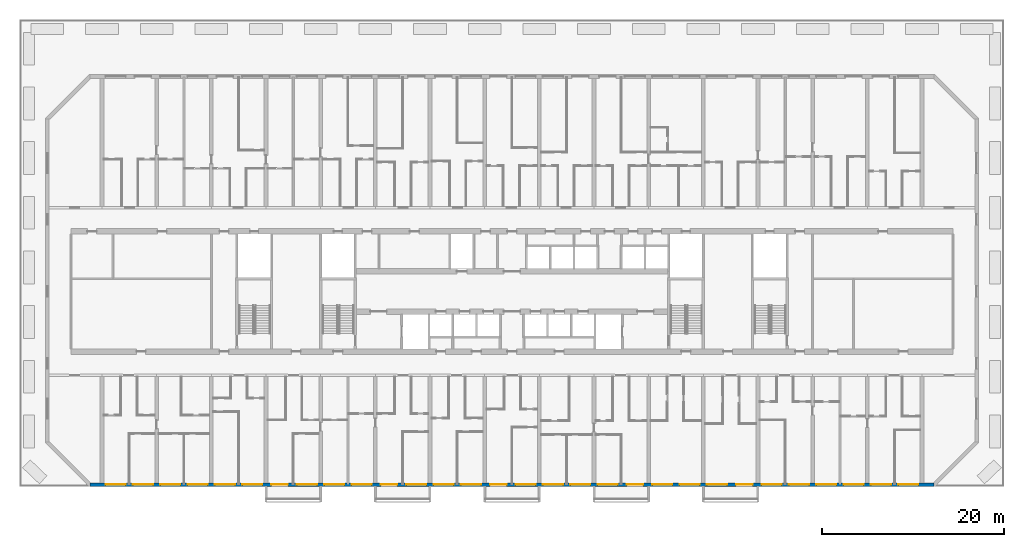
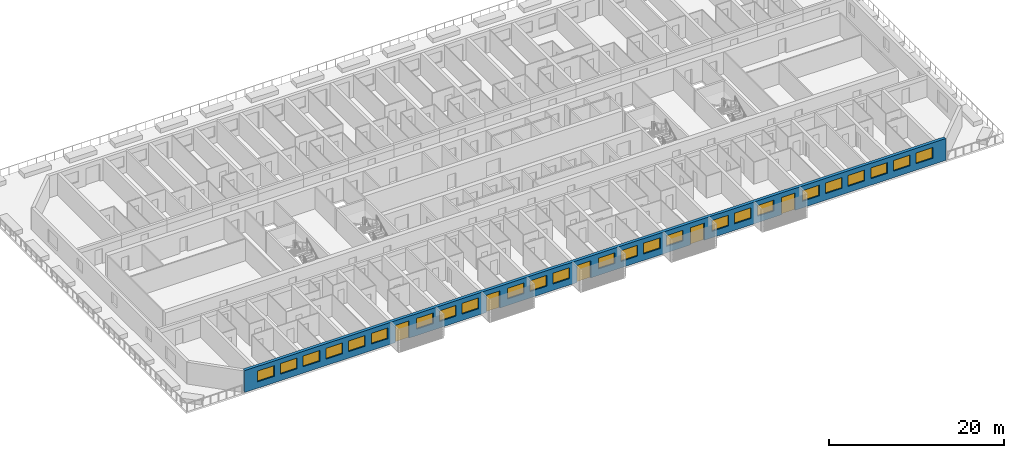
# One storey, part 5 of 23: 25 windows, 5 doors, 1 wall, 30 openings.
"""IFC4 building model written with IfcOpenShell, lengths in metres."""

from ifc_helpers import new_model, si_unit, direction, frame, frame_2d, origin, place, context, subcontext, project, spatial, rectangle, extrude, material, layer, layer_set, type_object, element, fill, save


model = new_model("IFC4")

# Units and contexts
model_context = context("Model", 3, precision=1e-05, world=origin(), true_north=direction((0.0, 1.0)))
body_context = subcontext(model_context, "Body", "Model", "MODEL_VIEW")
ifc_project = project(units=[si_unit("LENGTHUNIT", "METRE"), si_unit("AREAUNIT", "SQUARE_METRE"), si_unit("VOLUMEUNIT", "CUBIC_METRE"), si_unit("PLANEANGLEUNIT", "RADIAN"), si_unit("MASSUNIT", "GRAM", prefix="KILO")], contexts=[model_context])

# Site, building, storey
site_placement = place(None, origin())
site = spatial("IfcSite", under=ifc_project, at=site_placement, CompositionType="ELEMENT")
building_placement = place(site_placement, origin())
building = spatial("IfcBuilding", under=site, at=building_placement, Name="Poui Terraces", CompositionType="ELEMENT")
storey_placement = place(building_placement, frame((0.0, 0.0, 23.39990234375)))
storey = spatial("IfcBuildingStorey", under=building, at=storey_placement, Name="L05", CompositionType="ELEMENT", Elevation=23.39990234375)

# Wall, openings, doors, windows
ifc_material_1 = material(Name="Precast concrete 40 MPa", Category="concrete")
ifc_layer = layer(ifc_material_1, 0.39990234375)
ifc_layer_set = layer_set([ifc_layer], Name="Precast concrete 40 MPa")
wall_type = type_object("IfcWallType", Name="EXTERNAL WALL 400", PredefinedType="STANDARD", material=ifc_layer_set)
wall_placement = place(storey_placement, frame((4.682861328125, 0.0, 0.0), z_axis=(0.0, 0.0, 1.0), x_axis=(1.0, 0.0, 0.0)))
wall = element("IfcWall", 1, at=wall_placement, inside=storey, type_object=wall_type, Name="EXTERNAL WALL S", PredefinedType="STANDARD", context=body_context, shape_type="SweptSolid", body=[
    extrude(rectangle(XDim=92.63427734375, YDim=0.39990234375, at=frame_2d((46.317138671875, 0.0))), origin(), (0.0, 0.0, 1.0), 3.050048828125),
])
opening_1_placement = place(wall_placement, frame((1.71728515625, 0.0, 0.89990234375)))
opening_1 = element("IfcOpeningElement", 2, at=opening_1_placement, cuts=wall, Name="Opening W1", PredefinedType="OPENING", context=body_context, shape_type="SweptSolid", body=[
    extrude(rectangle(XDim=2.199951171875, YDim=1.5, at=frame_2d((1.10009765625, 0.75))), frame((0.0, 0.2099609375, 0.0), z_axis=(0.0, -1.0, 0.0), x_axis=(1.0, 0.0, 0.0)), (0.0, 0.0, 1.0), 0.419921875),
])
opening_2_placement = place(wall_placement, frame((4.71728515625, 0.0, 0.89990234375)))
opening_2 = element("IfcOpeningElement", 3, at=opening_2_placement, cuts=wall, Name="Opening W1", PredefinedType="OPENING", context=body_context, shape_type="SweptSolid", body=[
    extrude(rectangle(XDim=2.199951171875, YDim=1.5, at=frame_2d((1.10009765625, 0.75))), frame((0.0, 0.2099609375, 0.0), z_axis=(0.0, -1.0, 0.0), x_axis=(1.0, 0.0, 0.0)), (0.0, 0.0, 1.0), 0.419921875),
])
opening_3_placement = place(wall_placement, frame((7.71728515625, 0.0, 0.89990234375)))
opening_3 = element("IfcOpeningElement", 4, at=opening_3_placement, cuts=wall, Name="Opening W1", PredefinedType="OPENING", context=body_context, shape_type="SweptSolid", body=[
    extrude(rectangle(XDim=2.199951171875, YDim=1.5, at=frame_2d((1.10009765625, 0.75))), frame((0.0, 0.2099609375, 0.0), z_axis=(0.0, -1.0, 0.0), x_axis=(1.0, 0.0, 0.0)), (0.0, 0.0, 1.0), 0.419921875),
])
opening_4_placement = place(wall_placement, frame((10.71728515625, 0.0, 0.89990234375)))
opening_4 = element("IfcOpeningElement", 5, at=opening_4_placement, cuts=wall, Name="Opening W1", PredefinedType="OPENING", context=body_context, shape_type="SweptSolid", body=[
    extrude(rectangle(XDim=2.199951171875, YDim=1.5, at=frame_2d((1.10009765625, 0.75))), frame((0.0, 0.2099609375, 0.0), z_axis=(0.0, -1.0, 0.0), x_axis=(1.0, 0.0, 0.0)), (0.0, 0.0, 1.0), 0.419921875),
])
opening_5_placement = place(wall_placement, frame((13.71728515625, 0.0, 0.89990234375)))
opening_5 = element("IfcOpeningElement", 6, at=opening_5_placement, cuts=wall, Name="Opening W1", PredefinedType="OPENING", context=body_context, shape_type="SweptSolid", body=[
    extrude(rectangle(XDim=2.199951171875, YDim=1.5, at=frame_2d((1.10009765625, 0.75))), frame((0.0, 0.2099609375, 0.0), z_axis=(0.0, -1.0, 0.0), x_axis=(1.0, 0.0, 0.0)), (0.0, 0.0, 1.0), 0.419921875),
])
opening_6_placement = place(wall_placement, frame((16.71728515625, 0.0, 0.89990234375)))
opening_6 = element("IfcOpeningElement", 7, at=opening_6_placement, cuts=wall, Name="Opening W1", PredefinedType="OPENING", context=body_context, shape_type="SweptSolid", body=[
    extrude(rectangle(XDim=2.199951171875, YDim=1.5, at=frame_2d((1.10009765625, 0.75))), frame((0.0, 0.2099609375, 0.0), z_axis=(0.0, -1.0, 0.0), x_axis=(1.0, 0.0, 0.0)), (0.0, 0.0, 1.0), 0.419921875),
])
opening_7_placement = place(wall_placement, frame((19.917236328125, 0.0, 0.0)))
opening_7 = element("IfcOpeningElement", 8, at=opening_7_placement, cuts=wall, Name="Opening BD1", PredefinedType="OPENING", context=body_context, shape_type="SweptSolid", body=[
    extrude(rectangle(XDim=1.800048828125, YDim=2.39990234375, at=frame_2d((0.89990234375, 1.199951171875))), frame((0.0, 0.2099609375, 0.0), z_axis=(0.0, -1.0, 0.0), x_axis=(1.0, 0.0, 0.0)), (0.0, 0.0, 1.0), 0.419921875),
])
opening_8_placement = place(wall_placement, frame((22.71728515625, 0.0, 0.89990234375)))
opening_8 = element("IfcOpeningElement", 9, at=opening_8_placement, cuts=wall, Name="Opening W1", PredefinedType="OPENING", context=body_context, shape_type="SweptSolid", body=[
    extrude(rectangle(XDim=2.199951171875, YDim=1.5, at=frame_2d((1.10009765625, 0.75))), frame((0.0, 0.2099609375, 0.0), z_axis=(0.0, -1.0, 0.0), x_axis=(1.0, 0.0, 0.0)), (0.0, 0.0, 1.0), 0.419921875),
])
opening_9_placement = place(wall_placement, frame((25.71728515625, 0.0, 0.89990234375)))
opening_9 = element("IfcOpeningElement", 10, at=opening_9_placement, cuts=wall, Name="Opening W1", PredefinedType="OPENING", context=body_context, shape_type="SweptSolid", body=[
    extrude(rectangle(XDim=2.199951171875, YDim=1.5, at=frame_2d((1.10009765625, 0.75))), frame((0.0, 0.2099609375, 0.0), z_axis=(0.0, -1.0, 0.0), x_axis=(1.0, 0.0, 0.0)), (0.0, 0.0, 1.0), 0.419921875),
])
opening_10_placement = place(wall_placement, frame((28.71728515625, 0.0, 0.89990234375)))
opening_10 = element("IfcOpeningElement", 11, at=opening_10_placement, cuts=wall, Name="Opening W1", PredefinedType="OPENING", context=body_context, shape_type="SweptSolid", body=[
    extrude(rectangle(XDim=2.199951171875, YDim=1.5, at=frame_2d((1.10009765625, 0.75))), frame((0.0, 0.2099609375, 0.0), z_axis=(0.0, -1.0, 0.0), x_axis=(1.0, 0.0, 0.0)), (0.0, 0.0, 1.0), 0.419921875),
])
opening_11_placement = place(wall_placement, frame((31.917236328125, 0.0, 0.0)))
opening_11 = element("IfcOpeningElement", 12, at=opening_11_placement, cuts=wall, Name="Opening BD1", PredefinedType="OPENING", context=body_context, shape_type="SweptSolid", body=[
    extrude(rectangle(XDim=1.800048828125, YDim=2.39990234375, at=frame_2d((0.89990234375, 1.199951171875))), frame((0.0, 0.2099609375, 0.0), z_axis=(0.0, -1.0, 0.0), x_axis=(1.0, 0.0, 0.0)), (0.0, 0.0, 1.0), 0.419921875),
])
opening_12_placement = place(wall_placement, frame((34.71728515625, 0.0, 0.89990234375)))
opening_12 = element("IfcOpeningElement", 13, at=opening_12_placement, cuts=wall, Name="Opening W1", PredefinedType="OPENING", context=body_context, shape_type="SweptSolid", body=[
    extrude(rectangle(XDim=2.199951171875, YDim=1.5, at=frame_2d((1.10009765625, 0.75))), frame((0.0, 0.2099609375, 0.0), z_axis=(0.0, -1.0, 0.0), x_axis=(1.0, 0.0, 0.0)), (0.0, 0.0, 1.0), 0.419921875),
])
opening_13_placement = place(wall_placement, frame((37.71728515625, 0.0, 0.89990234375)))
opening_13 = element("IfcOpeningElement", 14, at=opening_13_placement, cuts=wall, Name="Opening W1", PredefinedType="OPENING", context=body_context, shape_type="SweptSolid", body=[
    extrude(rectangle(XDim=2.199951171875, YDim=1.5, at=frame_2d((1.10009765625, 0.75))), frame((0.0, 0.2099609375, 0.0), z_axis=(0.0, -1.0, 0.0), x_axis=(1.0, 0.0, 0.0)), (0.0, 0.0, 1.0), 0.419921875),
])
opening_14_placement = place(wall_placement, frame((40.71728515625, 0.0, 0.89990234375)))
opening_14 = element("IfcOpeningElement", 15, at=opening_14_placement, cuts=wall, Name="Opening W1", PredefinedType="OPENING", context=body_context, shape_type="SweptSolid", body=[
    extrude(rectangle(XDim=2.199951171875, YDim=1.5, at=frame_2d((1.10009765625, 0.75))), frame((0.0, 0.2099609375, 0.0), z_axis=(0.0, -1.0, 0.0), x_axis=(1.0, 0.0, 0.0)), (0.0, 0.0, 1.0), 0.419921875),
])
opening_15_placement = place(wall_placement, frame((43.917236328125, 0.0, 0.0)))
opening_15 = element("IfcOpeningElement", 16, at=opening_15_placement, cuts=wall, Name="Opening BD1", PredefinedType="OPENING", context=body_context, shape_type="SweptSolid", body=[
    extrude(rectangle(XDim=1.800048828125, YDim=2.39990234375, at=frame_2d((0.89990234375, 1.199951171875))), frame((0.0, 0.2099609375, 0.0), z_axis=(0.0, -1.0, 0.0), x_axis=(1.0, 0.0, 0.0)), (0.0, 0.0, 1.0), 0.419921875),
])
opening_16_placement = place(wall_placement, frame((46.71728515625, 0.0, 0.89990234375)))
opening_16 = element("IfcOpeningElement", 17, at=opening_16_placement, cuts=wall, Name="Opening W1", PredefinedType="OPENING", context=body_context, shape_type="SweptSolid", body=[
    extrude(rectangle(XDim=2.199951171875, YDim=1.5, at=frame_2d((1.10009765625, 0.75))), frame((0.0, 0.2099609375, 0.0), z_axis=(0.0, -1.0, 0.0), x_axis=(1.0, 0.0, 0.0)), (0.0, 0.0, 1.0), 0.419921875),
])
opening_17_placement = place(wall_placement, frame((49.71728515625, 0.0, 0.89990234375)))
opening_17 = element("IfcOpeningElement", 18, at=opening_17_placement, cuts=wall, Name="Opening W1", PredefinedType="OPENING", context=body_context, shape_type="SweptSolid", body=[
    extrude(rectangle(XDim=2.199951171875, YDim=1.5, at=frame_2d((1.10009765625, 0.75))), frame((0.0, 0.2099609375, 0.0), z_axis=(0.0, -1.0, 0.0), x_axis=(1.0, 0.0, 0.0)), (0.0, 0.0, 1.0), 0.419921875),
])
opening_18_placement = place(wall_placement, frame((52.71728515625, 0.0, 0.89990234375)))
opening_18 = element("IfcOpeningElement", 19, at=opening_18_placement, cuts=wall, Name="Opening W1", PredefinedType="OPENING", context=body_context, shape_type="SweptSolid", body=[
    extrude(rectangle(XDim=2.199951171875, YDim=1.5, at=frame_2d((1.10009765625, 0.75))), frame((0.0, 0.2099609375, 0.0), z_axis=(0.0, -1.0, 0.0), x_axis=(1.0, 0.0, 0.0)), (0.0, 0.0, 1.0), 0.419921875),
])
opening_19_placement = place(wall_placement, frame((55.71728515625, 0.0, 0.89990234375)))
opening_19 = element("IfcOpeningElement", 20, at=opening_19_placement, cuts=wall, Name="Opening W1", PredefinedType="OPENING", context=body_context, shape_type="SweptSolid", body=[
    extrude(rectangle(XDim=2.199951171875, YDim=1.5, at=frame_2d((1.10009765625, 0.75))), frame((0.0, 0.2099609375, 0.0), z_axis=(0.0, -1.0, 0.0), x_axis=(1.0, 0.0, 0.0)), (0.0, 0.0, 1.0), 0.419921875),
])
opening_20_placement = place(wall_placement, frame((58.917236328125, 0.0, 0.0)))
opening_20 = element("IfcOpeningElement", 21, at=opening_20_placement, cuts=wall, Name="Opening BD1", PredefinedType="OPENING", context=body_context, shape_type="SweptSolid", body=[
    extrude(rectangle(XDim=1.800048828125, YDim=2.39990234375, at=frame_2d((0.89990234375, 1.199951171875))), frame((0.0, 0.2099609375, 0.0), z_axis=(0.0, -1.0, 0.0), x_axis=(1.0, 0.0, 0.0)), (0.0, 0.0, 1.0), 0.419921875),
])
opening_21_placement = place(wall_placement, frame((61.71728515625, 0.0, 0.89990234375)))
opening_21 = element("IfcOpeningElement", 22, at=opening_21_placement, cuts=wall, Name="Opening W1", PredefinedType="OPENING", context=body_context, shape_type="SweptSolid", body=[
    extrude(rectangle(XDim=2.199951171875, YDim=1.5, at=frame_2d((1.10009765625, 0.75))), frame((0.0, 0.2099609375, 0.0), z_axis=(0.0, -1.0, 0.0), x_axis=(1.0, 0.0, 0.0)), (0.0, 0.0, 1.0), 0.419921875),
])
opening_22_placement = place(wall_placement, frame((64.71728515625, 0.0, 0.89990234375)))
opening_22 = element("IfcOpeningElement", 23, at=opening_22_placement, cuts=wall, Name="Opening W1", PredefinedType="OPENING", context=body_context, shape_type="SweptSolid", body=[
    extrude(rectangle(XDim=2.199951171875, YDim=1.5, at=frame_2d((1.10009765625, 0.75))), frame((0.0, 0.2099609375, 0.0), z_axis=(0.0, -1.0, 0.0), x_axis=(1.0, 0.0, 0.0)), (0.0, 0.0, 1.0), 0.419921875),
])
opening_23_placement = place(wall_placement, frame((67.71728515625, 0.0, 0.89990234375)))
opening_23 = element("IfcOpeningElement", 24, at=opening_23_placement, cuts=wall, Name="Opening W1", PredefinedType="OPENING", context=body_context, shape_type="SweptSolid", body=[
    extrude(rectangle(XDim=2.199951171875, YDim=1.5, at=frame_2d((1.10009765625, 0.75))), frame((0.0, 0.2099609375, 0.0), z_axis=(0.0, -1.0, 0.0), x_axis=(1.0, 0.0, 0.0)), (0.0, 0.0, 1.0), 0.419921875),
])
opening_24_placement = place(wall_placement, frame((70.917236328125, 0.0, 0.0)))
opening_24 = element("IfcOpeningElement", 25, at=opening_24_placement, cuts=wall, Name="Opening BD1", PredefinedType="OPENING", context=body_context, shape_type="SweptSolid", body=[
    extrude(rectangle(XDim=1.800048828125, YDim=2.39990234375, at=frame_2d((0.89990234375, 1.199951171875))), frame((0.0, 0.2099609375, 0.0), z_axis=(0.0, -1.0, 0.0), x_axis=(1.0, 0.0, 0.0)), (0.0, 0.0, 1.0), 0.419921875),
])
opening_25_placement = place(wall_placement, frame((73.71728515625, 0.0, 0.89990234375)))
opening_25 = element("IfcOpeningElement", 26, at=opening_25_placement, cuts=wall, Name="Opening W1", PredefinedType="OPENING", context=body_context, shape_type="SweptSolid", body=[
    extrude(rectangle(XDim=2.199951171875, YDim=1.5, at=frame_2d((1.10009765625, 0.75))), frame((0.0, 0.2099609375, 0.0), z_axis=(0.0, -1.0, 0.0), x_axis=(1.0, 0.0, 0.0)), (0.0, 0.0, 1.0), 0.419921875),
])
opening_26_placement = place(wall_placement, frame((76.71728515625, 0.0, 0.89990234375)))
opening_26 = element("IfcOpeningElement", 27, at=opening_26_placement, cuts=wall, Name="Opening W1", PredefinedType="OPENING", context=body_context, shape_type="SweptSolid", body=[
    extrude(rectangle(XDim=2.199951171875, YDim=1.5, at=frame_2d((1.10009765625, 0.75))), frame((0.0, 0.2099609375, 0.0), z_axis=(0.0, -1.0, 0.0), x_axis=(1.0, 0.0, 0.0)), (0.0, 0.0, 1.0), 0.419921875),
])
opening_27_placement = place(wall_placement, frame((79.71728515625, 0.0, 0.89990234375)))
opening_27 = element("IfcOpeningElement", 28, at=opening_27_placement, cuts=wall, Name="Opening W1", PredefinedType="OPENING", context=body_context, shape_type="SweptSolid", body=[
    extrude(rectangle(XDim=2.199951171875, YDim=1.5, at=frame_2d((1.10009765625, 0.75))), frame((0.0, 0.2099609375, 0.0), z_axis=(0.0, -1.0, 0.0), x_axis=(1.0, 0.0, 0.0)), (0.0, 0.0, 1.0), 0.419921875),
])
opening_28_placement = place(wall_placement, frame((82.71728515625, 0.0, 0.89990234375)))
opening_28 = element("IfcOpeningElement", 29, at=opening_28_placement, cuts=wall, Name="Opening W1", PredefinedType="OPENING", context=body_context, shape_type="SweptSolid", body=[
    extrude(rectangle(XDim=2.199951171875, YDim=1.5, at=frame_2d((1.10009765625, 0.75))), frame((0.0, 0.2099609375, 0.0), z_axis=(0.0, -1.0, 0.0), x_axis=(1.0, 0.0, 0.0)), (0.0, 0.0, 1.0), 0.419921875),
])
opening_29_placement = place(wall_placement, frame((85.71728515625, 0.0, 0.89990234375)))
opening_29 = element("IfcOpeningElement", 30, at=opening_29_placement, cuts=wall, Name="Opening W1", PredefinedType="OPENING", context=body_context, shape_type="SweptSolid", body=[
    extrude(rectangle(XDim=2.199951171875, YDim=1.5, at=frame_2d((1.10009765625, 0.75))), frame((0.0, 0.2099609375, 0.0), z_axis=(0.0, -1.0, 0.0), x_axis=(1.0, 0.0, 0.0)), (0.0, 0.0, 1.0), 0.419921875),
])
opening_30_placement = place(wall_placement, frame((88.71728515625, 0.0, 0.89990234375)))
opening_30 = element("IfcOpeningElement", 31, at=opening_30_placement, cuts=wall, Name="Opening W1", PredefinedType="OPENING", context=body_context, shape_type="SweptSolid", body=[
    extrude(rectangle(XDim=2.199951171875, YDim=1.5, at=frame_2d((1.10009765625, 0.75))), frame((0.0, 0.2099609375, 0.0), z_axis=(0.0, -1.0, 0.0), x_axis=(1.0, 0.0, 0.0)), (0.0, 0.0, 1.0), 0.419921875),
])
ifc_material_2 = material(Name="Clear glass in aluminium frame", Category="aluminium")
door_type = type_object("IfcDoorType", Name="BALCONY DOOR 1800X2400", OperationType="DOUBLE_DOOR_SLIDING", PredefinedType="DOOR", material=ifc_material_2)
door_1_placement = place(opening_7_placement, origin())
door_1 = element("IfcDoor", 32, at=door_1_placement, inside=storey, type_object=door_type, Name="BD1 BALCONY DOOR", OperationType="DOUBLE_DOOR_SLIDING", OverallHeight=2.39990234375, OverallWidth=1.800048828125, PredefinedType="DOOR", context=body_context, shape_type="SweptSolid", body=[
    extrude(rectangle(XDim=1.800048828125, YDim=2.39990234375, at=frame_2d((0.89990234375, 1.199951171875))), frame((0.0, 0.02490234375, 0.0), z_axis=(0.0, -1.0, 0.0), x_axis=(1.0, 0.0, 0.0)), (0.0, 0.0, 1.0), 0.050048828125),
])
fill(opening_7, door_1)
door_2_placement = place(opening_11_placement, origin())
door_2 = element("IfcDoor", 33, at=door_2_placement, inside=storey, type_object=door_type, Name="BD1 BALCONY DOOR", OperationType="DOUBLE_DOOR_SLIDING", OverallHeight=2.39990234375, OverallWidth=1.800048828125, PredefinedType="DOOR", context=body_context, shape_type="SweptSolid", body=[
    extrude(rectangle(XDim=1.800048828125, YDim=2.39990234375, at=frame_2d((0.89990234375, 1.199951171875))), frame((0.0, 0.02490234375, 0.0), z_axis=(0.0, -1.0, 0.0), x_axis=(1.0, 0.0, 0.0)), (0.0, 0.0, 1.0), 0.050048828125),
])
fill(opening_11, door_2)
door_3_placement = place(opening_15_placement, origin())
door_3 = element("IfcDoor", 34, at=door_3_placement, inside=storey, type_object=door_type, Name="BD1 BALCONY DOOR", OperationType="DOUBLE_DOOR_SLIDING", OverallHeight=2.39990234375, OverallWidth=1.800048828125, PredefinedType="DOOR", context=body_context, shape_type="SweptSolid", body=[
    extrude(rectangle(XDim=1.800048828125, YDim=2.39990234375, at=frame_2d((0.89990234375, 1.199951171875))), frame((0.0, 0.02490234375, 0.0), z_axis=(0.0, -1.0, 0.0), x_axis=(1.0, 0.0, 0.0)), (0.0, 0.0, 1.0), 0.050048828125),
])
fill(opening_15, door_3)
door_4_placement = place(opening_20_placement, origin())
door_4 = element("IfcDoor", 35, at=door_4_placement, inside=storey, type_object=door_type, Name="BD1 BALCONY DOOR", OperationType="DOUBLE_DOOR_SLIDING", OverallHeight=2.39990234375, OverallWidth=1.800048828125, PredefinedType="DOOR", context=body_context, shape_type="SweptSolid", body=[
    extrude(rectangle(XDim=1.800048828125, YDim=2.39990234375, at=frame_2d((0.89990234375, 1.199951171875))), frame((0.0, 0.02490234375, 0.0), z_axis=(0.0, -1.0, 0.0), x_axis=(1.0, 0.0, 0.0)), (0.0, 0.0, 1.0), 0.050048828125),
])
fill(opening_20, door_4)
door_5_placement = place(opening_24_placement, origin())
door_5 = element("IfcDoor", 36, at=door_5_placement, inside=storey, type_object=door_type, Name="BD1 BALCONY DOOR", OperationType="DOUBLE_DOOR_SLIDING", OverallHeight=2.39990234375, OverallWidth=1.800048828125, PredefinedType="DOOR", context=body_context, shape_type="SweptSolid", body=[
    extrude(rectangle(XDim=1.800048828125, YDim=2.39990234375, at=frame_2d((0.89990234375, 1.199951171875))), frame((0.0, 0.02490234375, 0.0), z_axis=(0.0, -1.0, 0.0), x_axis=(1.0, 0.0, 0.0)), (0.0, 0.0, 1.0), 0.050048828125),
])
fill(opening_24, door_5)
window_type = type_object("IfcWindowType", Name="WINDOW 2200X1500", PartitioningType="DOUBLE_PANEL_HORIZONTAL", PredefinedType="WINDOW", material=ifc_material_2)
window_1_placement = place(opening_1_placement, origin())
window_1 = element("IfcWindow", 37, at=window_1_placement, inside=storey, type_object=window_type, Name="W1 WINDOW", OverallHeight=1.5, OverallWidth=2.199951171875, PartitioningType="DOUBLE_PANEL_HORIZONTAL", PredefinedType="WINDOW", context=body_context, shape_type="SweptSolid", body=[
    extrude(rectangle(XDim=2.199951171875, YDim=1.5, at=frame_2d((1.10009765625, 0.75))), frame((0.0, 0.030029296875, 0.0), z_axis=(0.0, -1.0, 0.0), x_axis=(1.0, 0.0, 0.0)), (0.0, 0.0, 1.0), 0.06005859375),
])
fill(opening_1, window_1)
window_2_placement = place(opening_2_placement, origin())
window_2 = element("IfcWindow", 38, at=window_2_placement, inside=storey, type_object=window_type, Name="W1 WINDOW", OverallHeight=1.5, OverallWidth=2.199951171875, PartitioningType="DOUBLE_PANEL_HORIZONTAL", PredefinedType="WINDOW", context=body_context, shape_type="SweptSolid", body=[
    extrude(rectangle(XDim=2.199951171875, YDim=1.5, at=frame_2d((1.10009765625, 0.75))), frame((0.0, 0.030029296875, 0.0), z_axis=(0.0, -1.0, 0.0), x_axis=(1.0, 0.0, 0.0)), (0.0, 0.0, 1.0), 0.06005859375),
])
fill(opening_2, window_2)
window_3_placement = place(opening_3_placement, origin())
window_3 = element("IfcWindow", 39, at=window_3_placement, inside=storey, type_object=window_type, Name="W1 WINDOW", OverallHeight=1.5, OverallWidth=2.199951171875, PartitioningType="DOUBLE_PANEL_HORIZONTAL", PredefinedType="WINDOW", context=body_context, shape_type="SweptSolid", body=[
    extrude(rectangle(XDim=2.199951171875, YDim=1.5, at=frame_2d((1.10009765625, 0.75))), frame((0.0, 0.030029296875, 0.0), z_axis=(0.0, -1.0, 0.0), x_axis=(1.0, 0.0, 0.0)), (0.0, 0.0, 1.0), 0.06005859375),
])
fill(opening_3, window_3)
window_4_placement = place(opening_4_placement, origin())
window_4 = element("IfcWindow", 40, at=window_4_placement, inside=storey, type_object=window_type, Name="W1 WINDOW", OverallHeight=1.5, OverallWidth=2.199951171875, PartitioningType="DOUBLE_PANEL_HORIZONTAL", PredefinedType="WINDOW", context=body_context, shape_type="SweptSolid", body=[
    extrude(rectangle(XDim=2.199951171875, YDim=1.5, at=frame_2d((1.10009765625, 0.75))), frame((0.0, 0.030029296875, 0.0), z_axis=(0.0, -1.0, 0.0), x_axis=(1.0, 0.0, 0.0)), (0.0, 0.0, 1.0), 0.06005859375),
])
fill(opening_4, window_4)
window_5_placement = place(opening_5_placement, origin())
window_5 = element("IfcWindow", 41, at=window_5_placement, inside=storey, type_object=window_type, Name="W1 WINDOW", OverallHeight=1.5, OverallWidth=2.199951171875, PartitioningType="DOUBLE_PANEL_HORIZONTAL", PredefinedType="WINDOW", context=body_context, shape_type="SweptSolid", body=[
    extrude(rectangle(XDim=2.199951171875, YDim=1.5, at=frame_2d((1.10009765625, 0.75))), frame((0.0, 0.030029296875, 0.0), z_axis=(0.0, -1.0, 0.0), x_axis=(1.0, 0.0, 0.0)), (0.0, 0.0, 1.0), 0.06005859375),
])
fill(opening_5, window_5)
window_6_placement = place(opening_6_placement, origin())
window_6 = element("IfcWindow", 42, at=window_6_placement, inside=storey, type_object=window_type, Name="W1 WINDOW", OverallHeight=1.5, OverallWidth=2.199951171875, PartitioningType="DOUBLE_PANEL_HORIZONTAL", PredefinedType="WINDOW", context=body_context, shape_type="SweptSolid", body=[
    extrude(rectangle(XDim=2.199951171875, YDim=1.5, at=frame_2d((1.10009765625, 0.75))), frame((0.0, 0.030029296875, 0.0), z_axis=(0.0, -1.0, 0.0), x_axis=(1.0, 0.0, 0.0)), (0.0, 0.0, 1.0), 0.06005859375),
])
fill(opening_6, window_6)
window_7_placement = place(opening_8_placement, origin())
window_7 = element("IfcWindow", 43, at=window_7_placement, inside=storey, type_object=window_type, Name="W1 WINDOW", OverallHeight=1.5, OverallWidth=2.199951171875, PartitioningType="DOUBLE_PANEL_HORIZONTAL", PredefinedType="WINDOW", context=body_context, shape_type="SweptSolid", body=[
    extrude(rectangle(XDim=2.199951171875, YDim=1.5, at=frame_2d((1.10009765625, 0.75))), frame((0.0, 0.030029296875, 0.0), z_axis=(0.0, -1.0, 0.0), x_axis=(1.0, 0.0, 0.0)), (0.0, 0.0, 1.0), 0.06005859375),
])
fill(opening_8, window_7)
window_8_placement = place(opening_9_placement, origin())
window_8 = element("IfcWindow", 44, at=window_8_placement, inside=storey, type_object=window_type, Name="W1 WINDOW", OverallHeight=1.5, OverallWidth=2.199951171875, PartitioningType="DOUBLE_PANEL_HORIZONTAL", PredefinedType="WINDOW", context=body_context, shape_type="SweptSolid", body=[
    extrude(rectangle(XDim=2.199951171875, YDim=1.5, at=frame_2d((1.10009765625, 0.75))), frame((0.0, 0.030029296875, 0.0), z_axis=(0.0, -1.0, 0.0), x_axis=(1.0, 0.0, 0.0)), (0.0, 0.0, 1.0), 0.06005859375),
])
fill(opening_9, window_8)
window_9_placement = place(opening_10_placement, origin())
window_9 = element("IfcWindow", 45, at=window_9_placement, inside=storey, type_object=window_type, Name="W1 WINDOW", OverallHeight=1.5, OverallWidth=2.199951171875, PartitioningType="DOUBLE_PANEL_HORIZONTAL", PredefinedType="WINDOW", context=body_context, shape_type="SweptSolid", body=[
    extrude(rectangle(XDim=2.199951171875, YDim=1.5, at=frame_2d((1.10009765625, 0.75))), frame((0.0, 0.030029296875, 0.0), z_axis=(0.0, -1.0, 0.0), x_axis=(1.0, 0.0, 0.0)), (0.0, 0.0, 1.0), 0.06005859375),
])
fill(opening_10, window_9)
window_10_placement = place(opening_12_placement, origin())
window_10 = element("IfcWindow", 46, at=window_10_placement, inside=storey, type_object=window_type, Name="W1 WINDOW", OverallHeight=1.5, OverallWidth=2.199951171875, PartitioningType="DOUBLE_PANEL_HORIZONTAL", PredefinedType="WINDOW", context=body_context, shape_type="SweptSolid", body=[
    extrude(rectangle(XDim=2.199951171875, YDim=1.5, at=frame_2d((1.10009765625, 0.75))), frame((0.0, 0.030029296875, 0.0), z_axis=(0.0, -1.0, 0.0), x_axis=(1.0, 0.0, 0.0)), (0.0, 0.0, 1.0), 0.06005859375),
])
fill(opening_12, window_10)
window_11_placement = place(opening_13_placement, origin())
window_11 = element("IfcWindow", 47, at=window_11_placement, inside=storey, type_object=window_type, Name="W1 WINDOW", OverallHeight=1.5, OverallWidth=2.199951171875, PartitioningType="DOUBLE_PANEL_HORIZONTAL", PredefinedType="WINDOW", context=body_context, shape_type="SweptSolid", body=[
    extrude(rectangle(XDim=2.199951171875, YDim=1.5, at=frame_2d((1.10009765625, 0.75))), frame((0.0, 0.030029296875, 0.0), z_axis=(0.0, -1.0, 0.0), x_axis=(1.0, 0.0, 0.0)), (0.0, 0.0, 1.0), 0.06005859375),
])
fill(opening_13, window_11)
window_12_placement = place(opening_14_placement, origin())
window_12 = element("IfcWindow", 48, at=window_12_placement, inside=storey, type_object=window_type, Name="W1 WINDOW", OverallHeight=1.5, OverallWidth=2.199951171875, PartitioningType="DOUBLE_PANEL_HORIZONTAL", PredefinedType="WINDOW", context=body_context, shape_type="SweptSolid", body=[
    extrude(rectangle(XDim=2.199951171875, YDim=1.5, at=frame_2d((1.10009765625, 0.75))), frame((0.0, 0.030029296875, 0.0), z_axis=(0.0, -1.0, 0.0), x_axis=(1.0, 0.0, 0.0)), (0.0, 0.0, 1.0), 0.06005859375),
])
fill(opening_14, window_12)
window_13_placement = place(opening_16_placement, origin())
window_13 = element("IfcWindow", 49, at=window_13_placement, inside=storey, type_object=window_type, Name="W1 WINDOW", OverallHeight=1.5, OverallWidth=2.199951171875, PartitioningType="DOUBLE_PANEL_HORIZONTAL", PredefinedType="WINDOW", context=body_context, shape_type="SweptSolid", body=[
    extrude(rectangle(XDim=2.199951171875, YDim=1.5, at=frame_2d((1.10009765625, 0.75))), frame((0.0, 0.030029296875, 0.0), z_axis=(0.0, -1.0, 0.0), x_axis=(1.0, 0.0, 0.0)), (0.0, 0.0, 1.0), 0.06005859375),
])
fill(opening_16, window_13)
window_14_placement = place(opening_17_placement, origin())
window_14 = element("IfcWindow", 50, at=window_14_placement, inside=storey, type_object=window_type, Name="W1 WINDOW", OverallHeight=1.5, OverallWidth=2.199951171875, PartitioningType="DOUBLE_PANEL_HORIZONTAL", PredefinedType="WINDOW", context=body_context, shape_type="SweptSolid", body=[
    extrude(rectangle(XDim=2.199951171875, YDim=1.5, at=frame_2d((1.10009765625, 0.75))), frame((0.0, 0.030029296875, 0.0), z_axis=(0.0, -1.0, 0.0), x_axis=(1.0, 0.0, 0.0)), (0.0, 0.0, 1.0), 0.06005859375),
])
fill(opening_17, window_14)
window_15_placement = place(opening_18_placement, origin())
window_15 = element("IfcWindow", 51, at=window_15_placement, inside=storey, type_object=window_type, Name="W1 WINDOW", OverallHeight=1.5, OverallWidth=2.199951171875, PartitioningType="DOUBLE_PANEL_HORIZONTAL", PredefinedType="WINDOW", context=body_context, shape_type="SweptSolid", body=[
    extrude(rectangle(XDim=2.199951171875, YDim=1.5, at=frame_2d((1.10009765625, 0.75))), frame((0.0, 0.030029296875, 0.0), z_axis=(0.0, -1.0, 0.0), x_axis=(1.0, 0.0, 0.0)), (0.0, 0.0, 1.0), 0.06005859375),
])
fill(opening_18, window_15)
window_16_placement = place(opening_19_placement, origin())
window_16 = element("IfcWindow", 52, at=window_16_placement, inside=storey, type_object=window_type, Name="W1 WINDOW", OverallHeight=1.5, OverallWidth=2.199951171875, PartitioningType="DOUBLE_PANEL_HORIZONTAL", PredefinedType="WINDOW", context=body_context, shape_type="SweptSolid", body=[
    extrude(rectangle(XDim=2.199951171875, YDim=1.5, at=frame_2d((1.10009765625, 0.75))), frame((0.0, 0.030029296875, 0.0), z_axis=(0.0, -1.0, 0.0), x_axis=(1.0, 0.0, 0.0)), (0.0, 0.0, 1.0), 0.06005859375),
])
fill(opening_19, window_16)
window_17_placement = place(opening_21_placement, origin())
window_17 = element("IfcWindow", 53, at=window_17_placement, inside=storey, type_object=window_type, Name="W1 WINDOW", OverallHeight=1.5, OverallWidth=2.199951171875, PartitioningType="DOUBLE_PANEL_HORIZONTAL", PredefinedType="WINDOW", context=body_context, shape_type="SweptSolid", body=[
    extrude(rectangle(XDim=2.199951171875, YDim=1.5, at=frame_2d((1.10009765625, 0.75))), frame((0.0, 0.030029296875, 0.0), z_axis=(0.0, -1.0, 0.0), x_axis=(1.0, 0.0, 0.0)), (0.0, 0.0, 1.0), 0.06005859375),
])
fill(opening_21, window_17)
window_18_placement = place(opening_22_placement, origin())
window_18 = element("IfcWindow", 54, at=window_18_placement, inside=storey, type_object=window_type, Name="W1 WINDOW", OverallHeight=1.5, OverallWidth=2.199951171875, PartitioningType="DOUBLE_PANEL_HORIZONTAL", PredefinedType="WINDOW", context=body_context, shape_type="SweptSolid", body=[
    extrude(rectangle(XDim=2.199951171875, YDim=1.5, at=frame_2d((1.10009765625, 0.75))), frame((0.0, 0.030029296875, 0.0), z_axis=(0.0, -1.0, 0.0), x_axis=(1.0, 0.0, 0.0)), (0.0, 0.0, 1.0), 0.06005859375),
])
fill(opening_22, window_18)
window_19_placement = place(opening_23_placement, origin())
window_19 = element("IfcWindow", 55, at=window_19_placement, inside=storey, type_object=window_type, Name="W1 WINDOW", OverallHeight=1.5, OverallWidth=2.199951171875, PartitioningType="DOUBLE_PANEL_HORIZONTAL", PredefinedType="WINDOW", context=body_context, shape_type="SweptSolid", body=[
    extrude(rectangle(XDim=2.199951171875, YDim=1.5, at=frame_2d((1.10009765625, 0.75))), frame((0.0, 0.030029296875, 0.0), z_axis=(0.0, -1.0, 0.0), x_axis=(1.0, 0.0, 0.0)), (0.0, 0.0, 1.0), 0.06005859375),
])
fill(opening_23, window_19)
window_20_placement = place(opening_25_placement, origin())
window_20 = element("IfcWindow", 56, at=window_20_placement, inside=storey, type_object=window_type, Name="W1 WINDOW", OverallHeight=1.5, OverallWidth=2.199951171875, PartitioningType="DOUBLE_PANEL_HORIZONTAL", PredefinedType="WINDOW", context=body_context, shape_type="SweptSolid", body=[
    extrude(rectangle(XDim=2.199951171875, YDim=1.5, at=frame_2d((1.10009765625, 0.75))), frame((0.0, 0.030029296875, 0.0), z_axis=(0.0, -1.0, 0.0), x_axis=(1.0, 0.0, 0.0)), (0.0, 0.0, 1.0), 0.06005859375),
])
fill(opening_25, window_20)
window_21_placement = place(opening_26_placement, origin())
window_21 = element("IfcWindow", 57, at=window_21_placement, inside=storey, type_object=window_type, Name="W1 WINDOW", OverallHeight=1.5, OverallWidth=2.199951171875, PartitioningType="DOUBLE_PANEL_HORIZONTAL", PredefinedType="WINDOW", context=body_context, shape_type="SweptSolid", body=[
    extrude(rectangle(XDim=2.199951171875, YDim=1.5, at=frame_2d((1.10009765625, 0.75))), frame((0.0, 0.030029296875, 0.0), z_axis=(0.0, -1.0, 0.0), x_axis=(1.0, 0.0, 0.0)), (0.0, 0.0, 1.0), 0.06005859375),
])
fill(opening_26, window_21)
window_22_placement = place(opening_27_placement, origin())
window_22 = element("IfcWindow", 58, at=window_22_placement, inside=storey, type_object=window_type, Name="W1 WINDOW", OverallHeight=1.5, OverallWidth=2.199951171875, PartitioningType="DOUBLE_PANEL_HORIZONTAL", PredefinedType="WINDOW", context=body_context, shape_type="SweptSolid", body=[
    extrude(rectangle(XDim=2.199951171875, YDim=1.5, at=frame_2d((1.10009765625, 0.75))), frame((0.0, 0.030029296875, 0.0), z_axis=(0.0, -1.0, 0.0), x_axis=(1.0, 0.0, 0.0)), (0.0, 0.0, 1.0), 0.06005859375),
])
fill(opening_27, window_22)
window_23_placement = place(opening_28_placement, origin())
window_23 = element("IfcWindow", 59, at=window_23_placement, inside=storey, type_object=window_type, Name="W1 WINDOW", OverallHeight=1.5, OverallWidth=2.199951171875, PartitioningType="DOUBLE_PANEL_HORIZONTAL", PredefinedType="WINDOW", context=body_context, shape_type="SweptSolid", body=[
    extrude(rectangle(XDim=2.199951171875, YDim=1.5, at=frame_2d((1.10009765625, 0.75))), frame((0.0, 0.030029296875, 0.0), z_axis=(0.0, -1.0, 0.0), x_axis=(1.0, 0.0, 0.0)), (0.0, 0.0, 1.0), 0.06005859375),
])
fill(opening_28, window_23)
window_24_placement = place(opening_29_placement, origin())
window_24 = element("IfcWindow", 60, at=window_24_placement, inside=storey, type_object=window_type, Name="W1 WINDOW", OverallHeight=1.5, OverallWidth=2.199951171875, PartitioningType="DOUBLE_PANEL_HORIZONTAL", PredefinedType="WINDOW", context=body_context, shape_type="SweptSolid", body=[
    extrude(rectangle(XDim=2.199951171875, YDim=1.5, at=frame_2d((1.10009765625, 0.75))), frame((0.0, 0.030029296875, 0.0), z_axis=(0.0, -1.0, 0.0), x_axis=(1.0, 0.0, 0.0)), (0.0, 0.0, 1.0), 0.06005859375),
])
fill(opening_29, window_24)
window_25_placement = place(opening_30_placement, origin())
window_25 = element("IfcWindow", 61, at=window_25_placement, inside=storey, type_object=window_type, Name="W1 WINDOW", OverallHeight=1.5, OverallWidth=2.199951171875, PartitioningType="DOUBLE_PANEL_HORIZONTAL", PredefinedType="WINDOW", context=body_context, shape_type="SweptSolid", body=[
    extrude(rectangle(XDim=2.199951171875, YDim=1.5, at=frame_2d((1.10009765625, 0.75))), frame((0.0, 0.030029296875, 0.0), z_axis=(0.0, -1.0, 0.0), x_axis=(1.0, 0.0, 0.0)), (0.0, 0.0, 1.0), 0.06005859375),
])
fill(opening_30, window_25)

save(model, "model.ifc")
